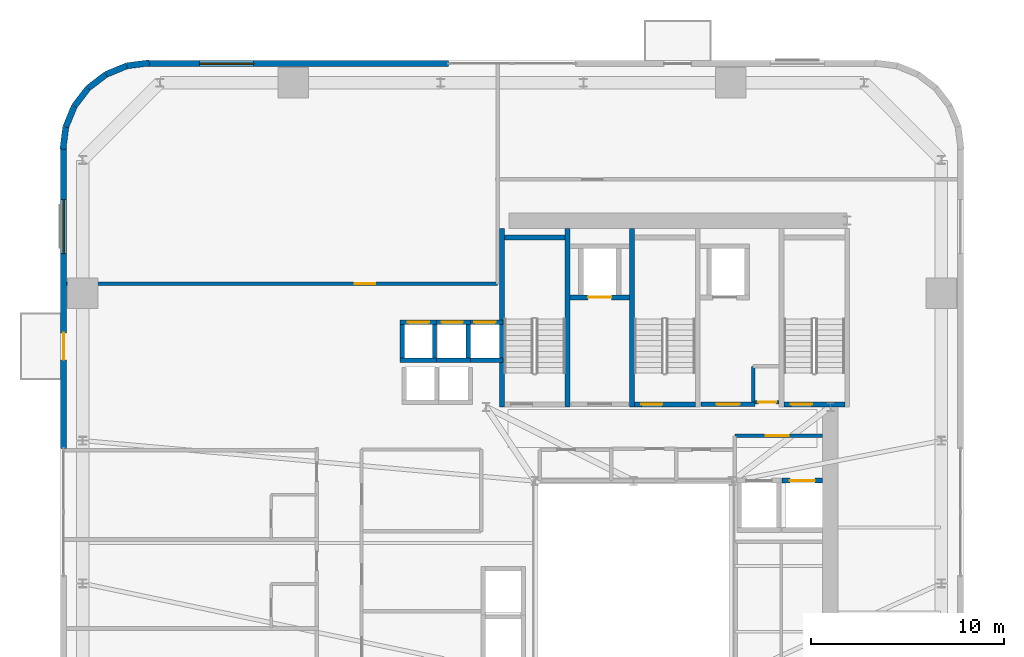
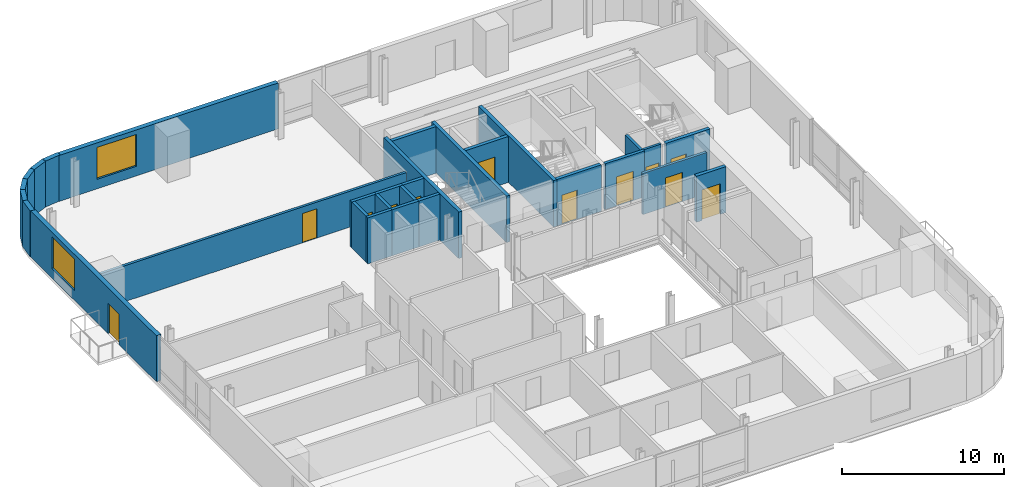
# One storey, part 8 of 14: 30 walls, 12 doors, 2 windows, 14 openings.
"""IFC4 building model written with IfcOpenShell, lengths in metres."""

import ifcopenshell
import ifcopenshell.guid

model = None  # the IFC model being written
_history = None  # IfcOwnerHistory: only IFC2X3 demands one
_inside = {}  # id of a spatial element -> (the spatial element, [elements in it])
_under = {}  # id of a project, library or spatial element -> (it, [spatial elements below it])
_declared = {}  # id of a project -> (the project, [libraries it declares])
_typed = {}  # id of a type object -> (the type object, [elements of that type])
_made_of = {}  # id of a material, layer set ... -> (it, [elements and type objects made of it])


def new_model(schema):
    """Start an empty IFC model of exactly this schema.

    Asked for "IFC4X3", IfcOpenShell would pick the latest addendum, in which some entities
    have other attributes; the version numbers below select the first issue.
    IFC2X3 requires an IfcOwnerHistory on every rooted entity: one is made here for all.
    """
    global model, _history
    if schema == "IFC4X3":
        model = ifcopenshell.file(schema_version=(4, 3, 0, 0))
    else:
        model = ifcopenshell.file(schema=schema)
    _inside.clear()
    _under.clear()
    _declared.clear()
    _typed.clear()
    _made_of.clear()
    _history = None
    if model.schema == "IFC2X3":
        org = make("IfcOrganization", Name="unknown")
        user = make(
            "IfcPersonAndOrganization",
            ThePerson=make("IfcPerson", FamilyName="unknown"),
            TheOrganization=org,
        )
        app = make(
            "IfcApplication",
            ApplicationDeveloper=org,
            Version="unknown",
            ApplicationFullName="unknown",
            ApplicationIdentifier="unknown",
        )
        _history = make(
            "IfcOwnerHistory",
            OwningUser=user,
            OwningApplication=app,
            ChangeAction="ADDED",
            CreationDate=0,
        )
    return model


def make(cls, **values):
    """One entity of the class cls with the attributes given. An attribute that is None is left unset."""
    return model.create_entity(
        cls, **{name: value for name, value in values.items() if value is not None}
    )


def rooted(cls, **values):
    """An entity with a GlobalId (a new one), such as an element, a storey or a relation."""
    return make(cls, GlobalId=ifcopenshell.guid.new(), OwnerHistory=_history, **values)


def si_unit(unit_type, name, prefix=None):
    """IfcSIUnit, for example si_unit("LENGTHUNIT", "METRE", prefix="MILLI")."""
    return make("IfcSIUnit", UnitType=unit_type, Prefix=prefix, Name=name)


def assignment(units):
    """IfcUnitAssignment: the units of a project."""
    return None if units is None else make("IfcUnitAssignment", Units=units)


def point(xyz):
    """IfcCartesianPoint."""
    return None if xyz is None else make("IfcCartesianPoint", Coordinates=xyz)


def direction(xyz):
    """IfcDirection."""
    return None if xyz is None else make("IfcDirection", DirectionRatios=xyz)


def frame(location, z_axis=None, x_axis=None):
    """IfcAxis2Placement3D, a coordinate frame: its origin and axes. An axis left out is left unset."""
    return make(
        "IfcAxis2Placement3D",
        Location=point(location),
        Axis=direction(z_axis),
        RefDirection=direction(x_axis),
    )


def frame_2d(location, x_axis=None):
    """IfcAxis2Placement2D, a coordinate frame in the plane: its origin and x axis."""
    return make(
        "IfcAxis2Placement2D", Location=point(location), RefDirection=direction(x_axis)
    )


def origin():
    """The frame at (0, 0, 0) with its axes left unset."""
    return frame((0.0, 0.0, 0.0))


def place(relative_to, where):
    """IfcLocalPlacement: puts the frame where relative to a parent placement (None: the world)."""
    return make(
        "IfcLocalPlacement", PlacementRelTo=relative_to, RelativePlacement=where
    )


def context(
    kind, dimensions, precision=None, world=None, true_north=None, identifier=None
):
    """IfcGeometricRepresentationContext, for example the 3D "Model" context."""
    return make(
        "IfcGeometricRepresentationContext",
        ContextIdentifier=identifier,
        ContextType=kind,
        CoordinateSpaceDimension=dimensions,
        Precision=precision,
        WorldCoordinateSystem=world,
        TrueNorth=true_north,
    )


def subcontext(parent, identifier, kind, view, scale=None):
    """IfcGeometricRepresentationSubContext, for example "Body" below "Model"."""
    return make(
        "IfcGeometricRepresentationSubContext",
        ContextIdentifier=identifier,
        ContextType=kind,
        ParentContext=parent,
        TargetScale=scale,
        TargetView=view,
    )


def project(units=None, contexts=None):
    """IfcProject with its units and contexts."""
    return rooted(
        "IfcProject",
        Name="project",
        RepresentationContexts=contexts,
        UnitsInContext=assignment(units),
    )


def spatial(cls, under=None, at=None, **own):
    """A site, building, storey or space (cls), placed at a placement, below another one or the project."""
    s = rooted(cls, ObjectPlacement=at, **own)
    if under is not None:
        _under.setdefault(under.id(), (under, []))[1].append(s)
    return s


def profile(cls, at=None, kind="AREA", **sizes):
    """A parametric profile (cls). Its sizes go by their IFC names, for example OverallWidth=200.0."""
    return make(cls, ProfileType=kind, Position=at, **sizes)


def rectangle(**sizes):
    """IfcRectangleProfileDef."""
    return profile("IfcRectangleProfileDef", **sizes)


def extrude(swept, where, along, depth):
    """IfcExtrudedAreaSolid: the profile swept, set in the frame where, extruded along a direction by depth."""
    return make(
        "IfcExtrudedAreaSolid",
        SweptArea=swept,
        Position=where,
        ExtrudedDirection=direction(along),
        Depth=depth,
    )


def shape(context_of_items, identifier, shape_type, items):
    """IfcShapeRepresentation: the items that make up one representation, for example the "Body"."""
    return make(
        "IfcShapeRepresentation",
        ContextOfItems=context_of_items,
        RepresentationIdentifier=identifier,
        RepresentationType=shape_type,
        Items=items,
    )


def source(mapping_origin, context_of_items, identifier, shape_type, items):
    """IfcRepresentationMap: a shape defined once, which mapped items show again and again."""
    return make(
        "IfcRepresentationMap",
        MappingOrigin=mapping_origin,
        MappedRepresentation=shape(context_of_items, identifier, shape_type, items),
    )


def transform(
    local_origin,
    x_axis=None,
    y_axis=None,
    z_axis=None,
    scale=None,
    scale2=None,
    scale3=None,
    uniform=True,
):
    """IfcCartesianTransformationOperator3D, or its non-uniform kind. x_axis, y_axis, z_axis: its Axis1, 2, 3."""
    if uniform:
        return make(
            "IfcCartesianTransformationOperator3D",
            Axis1=direction(x_axis),
            Axis2=direction(y_axis),
            LocalOrigin=point(local_origin),
            Scale=scale,
            Axis3=direction(z_axis),
        )
    return make(
        "IfcCartesianTransformationOperator3DnonUniform",
        Axis1=direction(x_axis),
        Axis2=direction(y_axis),
        LocalOrigin=point(local_origin),
        Scale=scale,
        Axis3=direction(z_axis),
        Scale2=scale2,
        Scale3=scale3,
    )


def mapped(mapping_source, mapping_target):
    """IfcMappedItem: shows the shape of a source again, moved by a transform."""
    return make(
        "IfcMappedItem", MappingSource=mapping_source, MappingTarget=mapping_target
    )


def material(Name=None, Category=None):
    """IfcMaterial."""
    return make("IfcMaterial", Name=Name, Category=Category)


def layer(
    of_material, thickness, ventilated=None, Name=None, Category=None, Priority=None
):
    """IfcMaterialLayer: one layer of a wall or slab, of a material (None: an air gap)."""
    return make(
        "IfcMaterialLayer",
        Material=of_material,
        LayerThickness=thickness,
        IsVentilated=ventilated,
        Name=Name,
        Category=Category,
        Priority=Priority,
    )


def layer_set(layers, Name=None):
    """IfcMaterialLayerSet."""
    return make("IfcMaterialLayerSet", MaterialLayers=layers, LayerSetName=Name)


def made_of(thing, what):
    """Note that an element or type object is made of a material, layer set ...; save() writes the relation."""
    if what is not None:
        _made_of.setdefault(what.id(), (what, []))[1].append(thing)
    return thing


def type_object(cls, material=None, **own):
    """A type object (cls), such as IfcWallType, which elements share."""
    return made_of(rooted(cls, **own), material)


def element(
    cls,
    number,
    at=None,
    inside=None,
    cuts=None,
    type_object=None,
    material=None,
    context=None,
    identifier="Body",
    shape_type=None,
    held_by="IfcProductDefinitionShape",
    body=None,
    shapes=None,
    **own,
):
    """One element of the class cls, such as IfcWall. Its Tag is "e" and its number.

    at: its placement. inside: the storey or other place that contains it. cuts: it is an
    opening in that element (IfcRelVoidsElement). A single representation is given by context,
    identifier, shape_type and body (its items); several are given by shapes. held_by: the class
    of the entity that holds the representations. save() writes the other relations.
    """
    e = rooted(cls, Tag="e%d" % number, ObjectPlacement=at, **own)
    if body is not None:
        shapes = [shape(context, identifier, shape_type, body)]
    if shapes is not None:
        e.Representation = make(held_by, Representations=shapes)
    if inside is not None:
        _inside.setdefault(inside.id(), (inside, []))[1].append(e)
    if cuts is not None:
        rooted(
            "IfcRelVoidsElement", RelatingBuildingElement=cuts, RelatedOpeningElement=e
        )
    if type_object is not None:
        _typed.setdefault(type_object.id(), (type_object, []))[1].append(e)
    return made_of(e, material)


def fill(opening, filler):
    """IfcRelFillsElement: the door or window that sits in an opening."""
    return rooted(
        "IfcRelFillsElement",
        RelatingOpeningElement=opening,
        RelatedBuildingElement=filler,
    )


def aggregate(whole, parts):
    """IfcRelAggregates: a whole, such as a stair, and the parts it consists of."""
    return rooted("IfcRelAggregates", RelatingObject=whole, RelatedObjects=parts)


def save(model, path):
    """Write the relations noted so far, then the file.

    IfcRelAggregates (storeys below a building ...), IfcRelContainedInSpatialStructure (elements
    in a storey), IfcRelDefinesByType, IfcRelAssociatesMaterial and IfcRelDeclares: one each for
    every whole, place, type object, material and project.
    """
    for whole, parts in _under.values():
        aggregate(whole, parts)
    for where, things in _inside.values():
        rooted(
            "IfcRelContainedInSpatialStructure",
            RelatedElements=things,
            RelatingStructure=where,
        )
    for kind, things in _typed.values():
        rooted("IfcRelDefinesByType", RelatedObjects=things, RelatingType=kind)
    for what, things in _made_of.values():
        rooted("IfcRelAssociatesMaterial", RelatedObjects=things, RelatingMaterial=what)
    for by, libraries in _declared.values():
        rooted("IfcRelDeclares", RelatingContext=by, RelatedDefinitions=libraries)
    model.write(path)


model = new_model("IFC4")

# Units and contexts
model_context = context("Model", 3, precision=1e-05, world=origin(), true_north=direction((0.0, 1.0)))
body_context = subcontext(model_context, "Body", "Model", "MODEL_VIEW")
ifc_project = project(units=[si_unit("LENGTHUNIT", "METRE"), si_unit("AREAUNIT", "SQUARE_METRE"), si_unit("VOLUMEUNIT", "CUBIC_METRE"), si_unit("PLANEANGLEUNIT", "RADIAN"), si_unit("MASSUNIT", "GRAM", prefix="KILO")], contexts=[model_context])

# Site, building, storey
site_placement = place(None, origin())
site = spatial("IfcSite", under=ifc_project, at=site_placement, CompositionType="ELEMENT")
building_placement = place(site_placement, origin())
building = spatial("IfcBuilding", under=site, at=building_placement, Name="Vardaveli Station Tower", CompositionType="ELEMENT")
storey_placement = place(building_placement, frame((0.0, 0.0, 148.300048828125)))
storey = spatial("IfcBuildingStorey", under=building, at=storey_placement, Name="L38", CompositionType="ELEMENT", Elevation=148.300048828125)

# Wall, opening, window
ifc_material_1 = material(Name="Precast concrete C45/55", Category="concrete")
ifc_layer_1 = layer(ifc_material_1, 0.320068359375, Name="Precast concrete C45/55")
ifc_layer_set_1 = layer_set([ifc_layer_1], Name="Precast concrete C45/55")
wall_type_1 = type_object("IfcWallType", Name="WAL-EXT-STONE-320", PredefinedType="SOLIDWALL", material=ifc_layer_set_1)
shared_shape_1 = source(origin(), body_context, "Body", "SweptSolid", [
    extrude(rectangle(XDim=15.599853515625, YDim=0.320068359375, at=frame_2d((7.7998046875, 0.0))), origin(), (0.0, 0.0, 1.0), 3.4599609375),
])
wall_1_placement = place(storey_placement, frame((26.699951171875, 48.43994140625, 0.0), z_axis=(0.0, 0.0, 1.0), x_axis=(-1.0, 0.0, 0.0)))
wall_1 = element("IfcWall", 1, at=wall_1_placement, inside=storey, type_object=wall_type_1, Name="EW-L38-N2", PredefinedType="SOLIDWALL", context=body_context, shape_type="MappedRepresentation", body=[
    mapped(shared_shape_1, transform((0.0, 0.0, 0.0), scale=1.0)),
])
shared_shape_2 = source(origin(), body_context, "Body", "SweptSolid", [
    extrude(rectangle(XDim=2.800048828125, YDim=2.39990234375, at=frame_2d((1.39990234375, 1.199951171875))), frame((0.0, 0.169921875, 0.0), z_axis=(0.0, -1.0, 0.0), x_axis=(1.0, 0.0, 0.0)), (0.0, 0.0, 1.0), 0.340087890625),
])
opening_1_placement = place(wall_1_placement, frame((10.094970703125, 0.0, 0.719970703125)))
opening_1 = element("IfcOpeningElement", 2, at=opening_1_placement, cuts=wall_1, Name="Opening W-04", PredefinedType="OPENING", context=body_context, shape_type="MappedRepresentation", body=[
    mapped(shared_shape_2, transform((0.0, 0.0, 0.0), scale=1.0)),
])
ifc_material_2 = material(Name="Low-E solar-control glass", Category="glass")
window_type = type_object("IfcWindowType", Name="WIN-SUITE-2800x2400", PartitioningType="SINGLE_PANEL", PredefinedType="WINDOW", material=ifc_material_2)
shared_shape_3 = source(origin(), body_context, "Body", "SweptSolid", [
    extrude(rectangle(XDim=2.800048828125, YDim=2.39990234375, at=frame_2d((1.39990234375, 1.199951171875))), frame((0.0, 0.030029296875, 0.0), z_axis=(0.0, -1.0, 0.0), x_axis=(1.0, 0.0, 0.0)), (0.0, 0.0, 1.0), 0.06005859375),
])
window_1_placement = place(opening_1_placement, origin())
window_1 = element("IfcWindow", 3, at=window_1_placement, inside=storey, type_object=window_type, Name="WN-L38-N2", OverallHeight=2.39990234375, OverallWidth=2.800048828125, PartitioningType="SINGLE_PANEL", PredefinedType="WINDOW", context=body_context, shape_type="MappedRepresentation", body=[
    mapped(shared_shape_3, transform((0.0, 0.0, 0.0), scale=1.0)),
])
fill(opening_1, window_1)

# Wall, openings, door, window
shared_shape_4 = source(origin(), body_context, "Body", "SweptSolid", [
    extrude(rectangle(XDim=15.60009765625, YDim=0.320068359375, at=frame_2d((7.800048828125, 0.0))), origin(), (0.0, 0.0, 1.0), 3.4599609375),
])
wall_2_placement = place(storey_placement, frame((6.760009765625, 44.10009765625, 0.0), z_axis=(0.0, 0.0, 1.0), x_axis=(0.0, -1.0, 0.0)))
wall_2 = element("IfcWall", 4, at=wall_2_placement, inside=storey, type_object=wall_type_1, Name="EW-L38-W1", PredefinedType="SOLIDWALL", context=body_context, shape_type="MappedRepresentation", body=[
    mapped(shared_shape_4, transform((0.0, 0.0, 0.0), scale=1.0)),
])
shared_shape_5 = source(origin(), body_context, "Body", "SweptSolid", [
    extrude(rectangle(XDim=1.39990234375, YDim=2.300048828125, at=frame_2d((0.699951171875, 1.14990234375))), frame((0.0, 0.169921875, 0.0), z_axis=(0.0, -1.0, 0.0), x_axis=(1.0, 0.0, 0.0)), (0.0, 0.0, 1.0), 0.340087890625),
])
opening_2_placement = place(wall_2_placement, frame((9.6103515625, 0.0, 0.0)))
opening_2 = element("IfcOpeningElement", 5, at=opening_2_placement, cuts=wall_2, Name="Opening D-09", PredefinedType="OPENING", context=body_context, shape_type="MappedRepresentation", body=[
    mapped(shared_shape_5, transform((0.0, 0.0, 0.0), scale=1.0)),
])
opening_3_placement = place(wall_2_placement, frame((2.705078125, 0.0, 0.719970703125)))
opening_3 = element("IfcOpeningElement", 6, at=opening_3_placement, cuts=wall_2, Name="Opening W-04", PredefinedType="OPENING", context=body_context, shape_type="MappedRepresentation", body=[
    mapped(shared_shape_2, transform((0.0, 0.0, 0.0), scale=1.0)),
])
ifc_material_3 = material(Name="Thermally broken aluminium glass", Category="aluminium")
door_type_1 = type_object("IfcDoorType", Name="DR-LOG-1400x2300", OperationType="DOUBLE_DOOR_SLIDING", PredefinedType="DOOR", material=ifc_material_3)
shared_shape_6 = source(origin(), body_context, "Body", "SweptSolid", [
    extrude(rectangle(XDim=1.39990234375, YDim=2.300048828125, at=frame_2d((0.699951171875, 1.14990234375))), frame((0.0, 0.02490234375, 0.0), z_axis=(0.0, -1.0, 0.0), x_axis=(1.0, 0.0, 0.0)), (0.0, 0.0, 1.0), 0.050048828125),
])
door_1_placement = place(opening_2_placement, frame((1.39990234375, 0.0, 0.0), z_axis=(0.0, 0.0, 1.0), x_axis=(-1.0, 0.0, 0.0)))
door_1 = element("IfcDoor", 7, at=door_1_placement, inside=storey, type_object=door_type_1, Name="DLG-L38-W", OperationType="DOUBLE_DOOR_SLIDING", OverallHeight=2.300048828125, OverallWidth=1.39990234375, PredefinedType="DOOR", context=body_context, shape_type="MappedRepresentation", body=[
    mapped(shared_shape_6, transform((0.0, 0.0, 0.0), scale=1.0)),
])
fill(opening_2, door_1)
window_2_placement = place(opening_3_placement, origin())
window_2 = element("IfcWindow", 8, at=window_2_placement, inside=storey, type_object=window_type, Name="WN-L38-W1", OverallHeight=2.39990234375, OverallWidth=2.800048828125, PartitioningType="SINGLE_PANEL", PredefinedType="WINDOW", context=body_context, shape_type="MappedRepresentation", body=[
    mapped(shared_shape_3, transform((0.0, 0.0, 0.0), scale=1.0)),
])
fill(opening_3, window_2)

# Walls
shared_shape_7 = source(origin(), body_context, "Body", "SweptSolid", [
    extrude(rectangle(XDim=1.1689453125, YDim=0.320068359375, at=frame_2d((0.58447265625, 0.0))), origin(), (0.0, 0.0, 1.0), 3.4599609375),
])
wall_3_placement = place(storey_placement, frame((8.03125, 47.1689453125, 0.0), z_axis=(0.0, 0.0, 1.0), x_axis=(-0.608387696831, -0.793639975269, 0.0)))
element("IfcWall", 9, at=wall_3_placement, inside=storey, type_object=wall_type_1, Name="EW-L38-CR4-4", PredefinedType="SOLIDWALL", context=body_context, shape_type="MappedRepresentation", body=[
    mapped(shared_shape_7, transform((0.0, 0.0, 0.0), scale=1.0)),
])
shared_shape_8 = source(origin(), body_context, "Body", "SweptSolid", [
    extrude(rectangle(XDim=1.168701171875, YDim=0.320068359375, at=frame_2d((0.58447265625, 0.0))), origin(), (0.0, 0.0, 1.0), 3.4599609375),
])
wall_4_placement = place(storey_placement, frame((8.958740234375, 47.8798828125, 0.0), z_axis=(0.0, 0.0, 1.0), x_axis=(-0.793663520347, -0.608356981114, 0.0)))
element("IfcWall", 10, at=wall_4_placement, inside=storey, type_object=wall_type_1, Name="EW-L38-CR4-3", PredefinedType="SOLIDWALL", context=body_context, shape_type="MappedRepresentation", body=[
    mapped(shared_shape_8, transform((0.0, 0.0, 0.0), scale=1.0)),
])
shared_shape_9 = source(origin(), body_context, "Body", "SweptSolid", [
    extrude(rectangle(XDim=1.17041015625, YDim=0.320068359375, at=frame_2d((0.585205078125, 0.0))), origin(), (0.0, 0.0, 1.0), 3.4599609375),
])
for number, where, z_axis, x_axis, name in (
    (11, (11.200439453125, 48.4755859375, 0.0), (0.0, 0.0, 1.0), (-0.991735963317, -0.128295670475, 0.0), "EW-L38-CR4-1"),
    (12, (6.87451171875, 45.16015625, 0.0), (0.0, 0.0, 1.0), (-0.128295670475, -0.991735963317, 0.0), "EW-L38-CR4-6"),
):
    element("IfcWall", number, at=place(storey_placement, frame(where, z_axis=z_axis, x_axis=x_axis)), inside=storey, type_object=wall_type_1, Name=name, PredefinedType="SOLIDWALL", context=body_context, shape_type="MappedRepresentation", body=[
        mapped(shared_shape_9, transform((0.0, 0.0, 0.0), scale=1.0)),
    ])
shared_shape_10 = source(origin(), body_context, "Body", "SweptSolid", [
    extrude(rectangle(XDim=1.169189453125, YDim=0.320068359375, at=frame_2d((0.58447265625, 0.0))), origin(), (0.0, 0.0, 1.0), 3.4599609375),
])
for number, where, z_axis, x_axis, name in (
    (13, (10.039794921875, 48.325439453125, 0.0), (0.0, 0.0, 1.0), (-0.924552646638, -0.381054331552, 0.0), "EW-L38-CR4-2"),
    (14, (7.320068359375, 46.2412109375, 0.0), (0.0, 0.0, 1.0), (-0.381054331552, -0.924552646638, 0.0), "EW-L38-CR4-5"),
):
    element("IfcWall", number, at=place(storey_placement, frame(where, z_axis=z_axis, x_axis=x_axis)), inside=storey, type_object=wall_type_1, Name=name, PredefinedType="SOLIDWALL", context=body_context, shape_type="MappedRepresentation", body=[
        mapped(shared_shape_10, transform((0.0, 0.0, 0.0), scale=1.0)),
    ])
ifc_material_4 = material(Name="Concrete C40/50", Category="concrete")
ifc_layer_2 = layer(ifc_material_4, 0.25, Name="Concrete C40/50")
ifc_layer_set_2 = layer_set([ifc_layer_2], Name="Concrete C40/50")
wall_type_2 = type_object("IfcWallType", Name="WAL-SHAFT-250", PredefinedType="SOLIDWALL", material=ifc_layer_set_2)
shared_shape_11 = source(origin(), body_context, "Body", "SweptSolid", [
    extrude(rectangle(XDim=9.25, YDim=0.25, at=frame_2d((4.625, 0.0))), origin(), (0.0, 0.0, 1.0), 3.5),
])
for number, where, z_axis, x_axis, name in (
    (15, (29.47509765625, 30.64990234375, 0.0), (0.0, 0.0, 1.0), (0.0, 1.0, 0.0), "W-L38-ST-1W"),
    (16, (32.875, 30.64990234375, 0.0), (0.0, 0.0, 1.0), (0.0, 1.0, 0.0), "W-L38-ST-1E"),
    (17, (36.22509765625, 30.64990234375, 0.0), (0.0, 0.0, 1.0), (0.0, 1.0, 0.0), "W-L38-ST-2W"),
):
    element("IfcWall", number, at=place(storey_placement, frame(where, z_axis=z_axis, x_axis=x_axis)), inside=storey, type_object=wall_type_2, Name=name, PredefinedType="SOLIDWALL", context=body_context, shape_type="MappedRepresentation", body=[
        mapped(shared_shape_11, transform((0.0, 0.0, 0.0), scale=1.0)),
    ])
shared_shape_12 = source(origin(), body_context, "Body", "SweptSolid", [
    extrude(rectangle(XDim=3.14990234375, YDim=0.25, at=frame_2d((1.574951171875, 0.0))), origin(), (0.0, 0.0, 1.0), 3.5),
])
wall_5_placement = place(storey_placement, frame((29.60009765625, 39.425048828125, 0.0), z_axis=(0.0, 0.0, 1.0), x_axis=(1.0, 0.0, 0.0)))
element("IfcWall", 18, at=wall_5_placement, inside=storey, type_object=wall_type_2, Name="W-L38-ST-1N", PredefinedType="SOLIDWALL", context=body_context, shape_type="MappedRepresentation", body=[
    mapped(shared_shape_12, transform((0.0, 0.0, 0.0), scale=1.0)),
])

# Wall, opening, door
wall_6_placement = place(storey_placement, frame((36.35009765625, 30.77490234375, 0.0), z_axis=(0.0, 0.0, 1.0), x_axis=(1.0, 0.0, 0.0)))
wall_6 = element("IfcWall", 19, at=wall_6_placement, inside=storey, type_object=wall_type_2, Name="W-L38-ST-2S", PredefinedType="SOLIDWALL", context=body_context, shape_type="MappedRepresentation", body=[
    mapped(shared_shape_12, transform((0.0, 0.0, 0.0), scale=1.0)),
])
shared_shape_13 = source(origin(), body_context, "Body", "SweptSolid", [
    extrude(rectangle(XDim=1.10009765625, YDim=2.199951171875, at=frame_2d((0.550048828125, 1.10009765625))), frame((0.0, 0.135009765625, 0.0), z_axis=(0.0, -1.0, 0.0), x_axis=(1.0, 0.0, 0.0)), (0.0, 0.0, 1.0), 0.27001953125),
])
opening_4_placement = place(wall_6_placement, frame((0.35009765625, 0.0, 0.0)))
opening_4 = element("IfcOpeningElement", 20, at=opening_4_placement, cuts=wall_6, Name="Opening D-04", PredefinedType="OPENING", context=body_context, shape_type="MappedRepresentation", body=[
    mapped(shared_shape_13, transform((0.0, 0.0, 0.0), scale=1.0)),
])
ifc_material_5 = material(Name="Steel smokeproof fire doorset", Category="steel")
door_type_2 = type_object("IfcDoorType", Name="DR-ST-1100x2200", OperationType="NOTDEFINED", PredefinedType="DOOR", material=ifc_material_5)
shared_shape_14 = source(origin(), body_context, "Body", "SweptSolid", [
    extrude(rectangle(XDim=1.10009765625, YDim=2.199951171875, at=frame_2d((0.550048828125, 1.10009765625))), frame((0.0, 0.02490234375, 0.0), z_axis=(0.0, -1.0, 0.0), x_axis=(1.0, 0.0, 0.0)), (0.0, 0.0, 1.0), 0.050048828125),
])
door_2_placement = place(opening_4_placement, origin())
door_2 = element("IfcDoor", 21, at=door_2_placement, inside=storey, type_object=door_type_2, Name="DST-2-L38", OperationType="SINGLE_SWING_LEFT", OverallHeight=2.199951171875, OverallWidth=1.10009765625, PredefinedType="DOOR", context=body_context, shape_type="MappedRepresentation", body=[
    mapped(shared_shape_14, transform((0.0, 0.0, 0.0), scale=1.0)),
])
fill(opening_4, door_2)

wall_7_placement = place(storey_placement, frame((44.10009765625, 30.77490234375, 0.0), z_axis=(0.0, 0.0, 1.0), x_axis=(1.0, 0.0, 0.0)))
wall_7 = element("IfcWall", 22, at=wall_7_placement, inside=storey, type_object=wall_type_2, Name="W-L38-ST-3S", PredefinedType="SOLIDWALL", context=body_context, shape_type="MappedRepresentation", body=[
    mapped(shared_shape_12, transform((0.0, 0.0, 0.0), scale=1.0)),
])
opening_5_placement = place(wall_7_placement, frame((0.35009765625, 0.0, 0.0)))
opening_5 = element("IfcOpeningElement", 23, at=opening_5_placement, cuts=wall_7, Name="Opening D-04", PredefinedType="OPENING", context=body_context, shape_type="MappedRepresentation", body=[
    mapped(shared_shape_13, transform((0.0, 0.0, 0.0), scale=1.0)),
])
door_3_placement = place(opening_5_placement, origin())
door_3 = element("IfcDoor", 24, at=door_3_placement, inside=storey, type_object=door_type_2, Name="DST-3-L38", OperationType="SINGLE_SWING_LEFT", OverallHeight=2.199951171875, OverallWidth=1.10009765625, PredefinedType="DOOR", context=body_context, shape_type="MappedRepresentation", body=[
    mapped(shared_shape_14, transform((0.0, 0.0, 0.0), scale=1.0)),
])
fill(opening_5, door_3)

ifc_layer_3 = layer(ifc_material_4, 0.219970703125, Name="Concrete C40/50")
ifc_layer_set_3 = layer_set([ifc_layer_3], Name="Concrete C40/50")
wall_type_3 = type_object("IfcWallType", Name="WAL-FFLOBBY-220", PredefinedType="SOLIDWALL", material=ifc_layer_set_3)
shared_shape_15 = source(origin(), body_context, "Body", "SweptSolid", [
    extrude(rectangle(XDim=2.800048828125, YDim=0.219970703125, at=frame_2d((1.39990234375, 0.0))), origin(), (0.0, 0.0, 1.0), 3.4599609375),
])
wall_8_placement = place(storey_placement, frame((39.800048828125, 30.780029296875, 0.0), z_axis=(0.0, 0.0, 1.0), x_axis=(1.0, 0.0, 0.0)))
wall_8 = element("IfcWall", 25, at=wall_8_placement, inside=storey, type_object=wall_type_3, Name="W-L38-FFL2S", PredefinedType="SOLIDWALL", context=body_context, shape_type="MappedRepresentation", body=[
    mapped(shared_shape_15, transform((0.0, 0.0, 0.0), scale=1.0)),
])
shared_shape_16 = source(origin(), body_context, "Body", "SweptSolid", [
    extrude(rectangle(XDim=1.199951171875, YDim=2.199951171875, at=frame_2d((0.60009765625, 1.10009765625))), frame((0.0, 0.1201171875, 0.0), z_axis=(0.0, -1.0, 0.0), x_axis=(1.0, 0.0, 0.0)), (0.0, 0.0, 1.0), 0.239990234375),
])
opening_6_placement = place(wall_8_placement, frame((0.800048828125, 0.0, 0.0)))
opening_6 = element("IfcOpeningElement", 26, at=opening_6_placement, cuts=wall_8, Name="Opening D-03", PredefinedType="OPENING", context=body_context, shape_type="MappedRepresentation", body=[
    mapped(shared_shape_16, transform((0.0, 0.0, 0.0), scale=1.0)),
])
door_type_3 = type_object("IfcDoorType", Name="DR-FFL-1200x2200", OperationType="NOTDEFINED", PredefinedType="DOOR", material=ifc_material_5)
shared_shape_17 = source(origin(), body_context, "Body", "SweptSolid", [
    extrude(rectangle(XDim=1.199951171875, YDim=2.199951171875, at=frame_2d((0.60009765625, 1.10009765625))), frame((0.0, 0.02490234375, 0.0), z_axis=(0.0, -1.0, 0.0), x_axis=(1.0, 0.0, 0.0)), (0.0, 0.0, 1.0), 0.050048828125),
])
door_4_placement = place(opening_6_placement, origin())
door_4 = element("IfcDoor", 27, at=door_4_placement, inside=storey, type_object=door_type_3, Name="DFFL2-L38", OperationType="SINGLE_SWING_RIGHT", OverallHeight=2.199951171875, OverallWidth=1.199951171875, PredefinedType="DOOR", context=body_context, shape_type="MappedRepresentation", body=[
    mapped(shared_shape_17, transform((0.0, 0.0, 0.0), scale=1.0)),
])
fill(opening_6, door_4)

# Wall
shared_shape_18 = source(origin(), body_context, "Body", "SweptSolid", [
    extrude(rectangle(XDim=1.889892578125, YDim=0.219970703125, at=frame_2d((0.94482421875, 0.0))), origin(), (0.0, 0.0, 1.0), 3.4599609375),
])
wall_9_placement = place(storey_placement, frame((24.205078125, 33.06494140625, 0.0), z_axis=(0.0, 0.0, 1.0), x_axis=(1.0, 0.0, 0.0)))
element("IfcWall", 28, at=wall_9_placement, inside=storey, type_object=wall_type_3, Name="SHW-HL2-01-L38-S", PredefinedType="SOLIDWALL", context=body_context, shape_type="MappedRepresentation", body=[
    mapped(shared_shape_18, transform((0.0, 0.0, 0.0), scale=1.0)),
])

# Wall, opening, door
wall_10_placement = place(storey_placement, frame((24.205078125, 35.034912109375, 0.0), z_axis=(0.0, 0.0, 1.0), x_axis=(1.0, 0.0, 0.0)))
wall_10 = element("IfcWall", 29, at=wall_10_placement, inside=storey, type_object=wall_type_3, Name="SHW-HL2-01-L38-N", PredefinedType="SOLIDWALL", context=body_context, shape_type="MappedRepresentation", body=[
    mapped(shared_shape_18, transform((0.0, 0.0, 0.0), scale=1.0)),
])
shared_shape_19 = source(origin(), body_context, "Body", "SweptSolid", [
    extrude(rectangle(XDim=1.10009765625, YDim=2.199951171875, at=frame_2d((0.550048828125, 1.10009765625))), frame((0.0, 0.1201171875, 0.0), z_axis=(0.0, -1.0, 0.0), x_axis=(1.0, 0.0, 0.0)), (0.0, 0.0, 1.0), 0.239990234375),
])
opening_7_placement = place(wall_10_placement, frame((0.39501953125, 0.0, 0.0)))
opening_7 = element("IfcOpeningElement", 30, at=opening_7_placement, cuts=wall_10, Name="Opening LD-01", PredefinedType="OPENING", context=body_context, shape_type="MappedRepresentation", body=[
    mapped(shared_shape_19, transform((0.0, 0.0, 0.0), scale=1.0)),
])
ifc_material_6 = material(Name="Brushed stainless steel", Category="steel")
door_type_4 = type_object("IfcDoorType", Name="DR-LD-1100x2200", OperationType="DOUBLE_DOOR_SLIDING", PredefinedType="DOOR", material=ifc_material_6)
door_5_placement = place(opening_7_placement, origin())
door_5 = element("IfcDoor", 31, at=door_5_placement, inside=storey, type_object=door_type_4, Name="LD-HL2-01-L38", OperationType="DOUBLE_DOOR_SLIDING", OverallHeight=2.199951171875, OverallWidth=1.10009765625, PredefinedType="DOOR", context=body_context, shape_type="MappedRepresentation", body=[
    mapped(shared_shape_14, transform((0.0, 0.0, 0.0), scale=1.0)),
])
fill(opening_7, door_5)

# Wall
wall_11_placement = place(storey_placement, frame((25.955078125, 33.06494140625, 0.0), z_axis=(0.0, 0.0, 1.0), x_axis=(1.0, 0.0, 0.0)))
element("IfcWall", 32, at=wall_11_placement, inside=storey, type_object=wall_type_3, Name="SHW-HL2-02-L38-S", PredefinedType="SOLIDWALL", context=body_context, shape_type="MappedRepresentation", body=[
    mapped(shared_shape_18, transform((0.0, 0.0, 0.0), scale=1.0)),
])

# Wall, opening, door
wall_12_placement = place(storey_placement, frame((25.955078125, 35.034912109375, 0.0), z_axis=(0.0, 0.0, 1.0), x_axis=(1.0, 0.0, 0.0)))
wall_12 = element("IfcWall", 33, at=wall_12_placement, inside=storey, type_object=wall_type_3, Name="SHW-HL2-02-L38-N", PredefinedType="SOLIDWALL", context=body_context, shape_type="MappedRepresentation", body=[
    mapped(shared_shape_18, transform((0.0, 0.0, 0.0), scale=1.0)),
])
opening_8_placement = place(wall_12_placement, frame((0.39501953125, 0.0, 0.0)))
opening_8 = element("IfcOpeningElement", 34, at=opening_8_placement, cuts=wall_12, Name="Opening LD-01", PredefinedType="OPENING", context=body_context, shape_type="MappedRepresentation", body=[
    mapped(shared_shape_19, transform((0.0, 0.0, 0.0), scale=1.0)),
])
door_6_placement = place(opening_8_placement, origin())
door_6 = element("IfcDoor", 35, at=door_6_placement, inside=storey, type_object=door_type_4, Name="LD-HL2-02-L38", OperationType="DOUBLE_DOOR_SLIDING", OverallHeight=2.199951171875, OverallWidth=1.10009765625, PredefinedType="DOOR", context=body_context, shape_type="MappedRepresentation", body=[
    mapped(shared_shape_14, transform((0.0, 0.0, 0.0), scale=1.0)),
])
fill(opening_8, door_6)

# Wall
wall_13_placement = place(storey_placement, frame((27.655029296875, 33.06494140625, 0.0), z_axis=(0.0, 0.0, 1.0), x_axis=(1.0, 0.0, 0.0)))
element("IfcWall", 36, at=wall_13_placement, inside=storey, type_object=wall_type_3, Name="SHW-HL2-03-L38-S", PredefinedType="SOLIDWALL", context=body_context, shape_type="MappedRepresentation", body=[
    mapped(shared_shape_18, transform((0.0, 0.0, 0.0), scale=1.0)),
])

# Wall, opening, door
wall_14_placement = place(storey_placement, frame((27.655029296875, 35.034912109375, 0.0), z_axis=(0.0, 0.0, 1.0), x_axis=(1.0, 0.0, 0.0)))
wall_14 = element("IfcWall", 37, at=wall_14_placement, inside=storey, type_object=wall_type_3, Name="SHW-HL2-03-L38-N", PredefinedType="SOLIDWALL", context=body_context, shape_type="MappedRepresentation", body=[
    mapped(shared_shape_18, transform((0.0, 0.0, 0.0), scale=1.0)),
])
opening_9_placement = place(wall_14_placement, frame((0.39501953125, 0.0, 0.0)))
opening_9 = element("IfcOpeningElement", 38, at=opening_9_placement, cuts=wall_14, Name="Opening LD-01", PredefinedType="OPENING", context=body_context, shape_type="MappedRepresentation", body=[
    mapped(shared_shape_19, transform((0.0, 0.0, 0.0), scale=1.0)),
])
door_7_placement = place(opening_9_placement, origin())
door_7 = element("IfcDoor", 39, at=door_7_placement, inside=storey, type_object=door_type_4, Name="LD-HL2-03-L38", OperationType="DOUBLE_DOOR_SLIDING", OverallHeight=2.199951171875, OverallWidth=1.10009765625, PredefinedType="DOOR", context=body_context, shape_type="MappedRepresentation", body=[
    mapped(shared_shape_14, transform((0.0, 0.0, 0.0), scale=1.0)),
])
fill(opening_9, door_7)

# Walls
shared_shape_20 = source(origin(), body_context, "Body", "SweptSolid", [
    extrude(rectangle(XDim=1.75, YDim=0.219970703125, at=frame_2d((0.875, 0.0))), origin(), (0.0, 0.0, 1.0), 3.4599609375),
])
for number, where, z_axis, x_axis, name in (
    (40, (24.31494140625, 33.175048828125, 0.0), (0.0, 0.0, 1.0), (0.0, 1.0, 0.0), "SHW-HL2-01-L38-W"),
    (41, (25.985107421875, 33.175048828125, 0.0), (0.0, 0.0, 1.0), (0.0, 1.0, 0.0), "SHW-HL2-01-L38-E"),
    (42, (27.735107421875, 33.175048828125, 0.0), (0.0, 0.0, 1.0), (0.0, 1.0, 0.0), "SHW-HL2-02-L38-E"),
):
    element("IfcWall", number, at=place(storey_placement, frame(where, z_axis=z_axis, x_axis=x_axis)), inside=storey, type_object=wall_type_3, Name=name, PredefinedType="SOLIDWALL", context=body_context, shape_type="MappedRepresentation", body=[
        mapped(shared_shape_20, transform((0.0, 0.0, 0.0), scale=1.0)),
    ])

# Wall, opening, door
shared_shape_21 = source(origin(), body_context, "Body", "SweptSolid", [
    extrude(rectangle(XDim=3.10009765625, YDim=0.25, at=frame_2d((1.550048828125, 0.0))), origin(), (0.0, 0.0, 1.0), 3.4599609375),
])
wall_15_placement = place(storey_placement, frame((33.0, 36.324951171875, 0.0), z_axis=(0.0, 0.0, 1.0), x_axis=(1.0, 0.0, 0.0)))
wall_15 = element("IfcWall", 43, at=wall_15_placement, inside=storey, type_object=wall_type_2, Name="SHW-FFL-01-L38-S", PredefinedType="SOLIDWALL", context=body_context, shape_type="MappedRepresentation", body=[
    mapped(shared_shape_21, transform((0.0, 0.0, 0.0), scale=1.0)),
])
shared_shape_22 = source(origin(), body_context, "Body", "SweptSolid", [
    extrude(rectangle(XDim=1.199951171875, YDim=2.25, at=frame_2d((0.60009765625, 1.125))), frame((0.0, 0.135009765625, 0.0), z_axis=(0.0, -1.0, 0.0), x_axis=(1.0, 0.0, 0.0)), (0.0, 0.0, 1.0), 0.27001953125),
])
opening_10_placement = place(wall_15_placement, frame((0.949951171875, 0.0, 0.0)))
opening_10 = element("IfcOpeningElement", 44, at=opening_10_placement, cuts=wall_15, Name="Opening LD-02", PredefinedType="OPENING", context=body_context, shape_type="MappedRepresentation", body=[
    mapped(shared_shape_22, transform((0.0, 0.0, 0.0), scale=1.0)),
])
door_type_5 = type_object("IfcDoorType", Name="DR-LD-1200x2250", OperationType="DOUBLE_DOOR_SLIDING", PredefinedType="DOOR", material=ifc_material_6)
shared_shape_23 = source(origin(), body_context, "Body", "SweptSolid", [
    extrude(rectangle(XDim=1.199951171875, YDim=2.25, at=frame_2d((0.60009765625, 1.125))), frame((0.0, 0.02490234375, 0.0), z_axis=(0.0, -1.0, 0.0), x_axis=(1.0, 0.0, 0.0)), (0.0, 0.0, 1.0), 0.050048828125),
])
door_8_placement = place(opening_10_placement, origin())
door_8 = element("IfcDoor", 45, at=door_8_placement, inside=storey, type_object=door_type_5, Name="LD-FFL-01-L38", OperationType="DOUBLE_DOOR_SLIDING", OverallHeight=2.25, OverallWidth=1.199951171875, PredefinedType="DOOR", context=body_context, shape_type="MappedRepresentation", body=[
    mapped(shared_shape_23, transform((0.0, 0.0, 0.0), scale=1.0)),
])
fill(opening_10, door_8)

shared_shape_24 = source(origin(), body_context, "Body", "SweptSolid", [
    extrude(rectangle(XDim=2.10009765625, YDim=0.25, at=frame_2d((1.050048828125, 0.0))), origin(), (0.0, 0.0, 1.0), 3.4599609375),
])
wall_16_placement = place(storey_placement, frame((44.0, 26.824951171875, 0.0), z_axis=(0.0, 0.0, 1.0), x_axis=(1.0, 0.0, 0.0)))
wall_16 = element("IfcWall", 46, at=wall_16_placement, inside=storey, type_object=wall_type_2, Name="SHW-SRV-02-L38-N", PredefinedType="SOLIDWALL", context=body_context, shape_type="MappedRepresentation", body=[
    mapped(shared_shape_24, transform((0.0, 0.0, 0.0), scale=1.0)),
])
shared_shape_25 = source(origin(), body_context, "Body", "SweptSolid", [
    extrude(rectangle(XDim=1.300048828125, YDim=2.300048828125, at=frame_2d((0.64990234375, 1.14990234375))), frame((0.0, 0.135009765625, 0.0), z_axis=(0.0, -1.0, 0.0), x_axis=(1.0, 0.0, 0.0)), (0.0, 0.0, 1.0), 0.27001953125),
])
opening_11_placement = place(wall_16_placement, frame((0.39990234375, 0.0, 0.0)))
opening_11 = element("IfcOpeningElement", 47, at=opening_11_placement, cuts=wall_16, Name="Opening LD-03", PredefinedType="OPENING", context=body_context, shape_type="MappedRepresentation", body=[
    mapped(shared_shape_25, transform((0.0, 0.0, 0.0), scale=1.0)),
])
door_type_6 = type_object("IfcDoorType", Name="DR-LD-1300x2300", OperationType="DOUBLE_DOOR_SLIDING", PredefinedType="DOOR", material=ifc_material_6)
shared_shape_26 = source(origin(), body_context, "Body", "SweptSolid", [
    extrude(rectangle(XDim=1.300048828125, YDim=2.300048828125, at=frame_2d((0.64990234375, 1.14990234375))), frame((0.0, 0.02490234375, 0.0), z_axis=(0.0, -1.0, 0.0), x_axis=(1.0, 0.0, 0.0)), (0.0, 0.0, 1.0), 0.050048828125),
])
door_9_placement = place(opening_11_placement, origin())
door_9 = element("IfcDoor", 48, at=door_9_placement, inside=storey, type_object=door_type_6, Name="LD-SRV-02-L38", OperationType="DOUBLE_DOOR_SLIDING", OverallHeight=2.300048828125, OverallWidth=1.300048828125, PredefinedType="DOOR", context=body_context, shape_type="MappedRepresentation", body=[
    mapped(shared_shape_26, transform((0.0, 0.0, 0.0), scale=1.0)),
])
fill(opening_11, door_9)

ifc_material_7 = material(Name="Fire-rated gypsum stud partition")
ifc_layer_4 = layer(ifc_material_7, 0.179931640625, Name="Fire-rated gypsum stud partition")
ifc_layer_set_4 = layer_set([ifc_layer_4], Name="Fire-rated gypsum stud partition")
wall_type_4 = type_object("IfcWallType", Name="WAL-CORR-180", PredefinedType="PARTITIONING", material=ifc_layer_set_4)
shared_shape_27 = source(origin(), body_context, "Body", "SweptSolid", [
    extrude(rectangle(XDim=22.327880859375, YDim=0.179931640625, at=frame_2d((11.1640625, 0.0))), origin(), (0.0, 0.0, 1.0), 2.701904296875),
])
wall_17_placement = place(storey_placement, frame((6.922119140625, 37.02001953125, 0.0), z_axis=(0.0, 0.0, 1.0), x_axis=(1.0, 0.0, 0.0)))
wall_17 = element("IfcWall", 49, at=wall_17_placement, inside=storey, type_object=wall_type_4, Name="W-L38-CNWS", PredefinedType="PARTITIONING", context=body_context, shape_type="MappedRepresentation", body=[
    mapped(shared_shape_27, transform((0.0, 0.0, 0.0), scale=1.0)),
])
shared_shape_28 = source(origin(), body_context, "Body", "SweptSolid", [
    extrude(rectangle(XDim=1.050048828125, YDim=2.199951171875, at=frame_2d((0.52490234375, 1.10009765625))), frame((0.0, 0.10009765625, 0.0), z_axis=(0.0, -1.0, 0.0), x_axis=(1.0, 0.0, 0.0)), (0.0, 0.0, 1.0), 0.199951171875),
])
opening_12_placement = place(wall_17_placement, frame((14.927978515625, 0.0, 0.0)))
opening_12 = element("IfcOpeningElement", 50, at=opening_12_placement, cuts=wall_17, Name="Opening D-05", PredefinedType="OPENING", context=body_context, shape_type="MappedRepresentation", body=[
    mapped(shared_shape_28, transform((0.0, 0.0, 0.0), scale=1.0)),
])
ifc_material_8 = material(Name="Walnut veneer acoustic fire door")
door_type_7 = type_object("IfcDoorType", Name="DR-SUITE-1050x2200", OperationType="NOTDEFINED", PredefinedType="DOOR", material=ifc_material_8)
shared_shape_29 = source(origin(), body_context, "Body", "SweptSolid", [
    extrude(rectangle(XDim=1.050048828125, YDim=2.199951171875, at=frame_2d((0.52490234375, 1.10009765625))), frame((0.0, 0.02490234375, 0.0), z_axis=(0.0, -1.0, 0.0), x_axis=(1.0, 0.0, 0.0)), (0.0, 0.0, 1.0), 0.050048828125),
])
door_10_placement = place(opening_12_placement, origin())
door_10 = element("IfcDoor", 51, at=door_10_placement, inside=storey, type_object=door_type_7, Name="D-L38-GNW1", OperationType="SINGLE_SWING_LEFT", OverallHeight=2.199951171875, OverallWidth=1.050048828125, PredefinedType="DOOR", context=body_context, shape_type="MappedRepresentation", body=[
    mapped(shared_shape_29, transform((0.0, 0.0, 0.0), scale=1.0)),
])
fill(opening_12, door_10)

shared_shape_30 = source(origin(), body_context, "Body", "SweptSolid", [
    extrude(rectangle(XDim=4.5478515625, YDim=0.179931640625, at=frame_2d((2.27392578125, 0.0))), origin(), (0.0, 0.0, 1.0), 3.092041015625),
])
wall_18_placement = place(storey_placement, frame((41.550048828125, 29.14990234375, 0.0), z_axis=(0.0, 0.0, 1.0), x_axis=(1.0, 0.0, 0.0)))
wall_18 = element("IfcWall", 52, at=wall_18_placement, inside=storey, type_object=wall_type_4, Name="W-L38-SVFN", PredefinedType="PARTITIONING", context=body_context, shape_type="MappedRepresentation", body=[
    mapped(shared_shape_30, transform((0.0, 0.0, 0.0), scale=1.0)),
])
shared_shape_31 = source(origin(), body_context, "Body", "SweptSolid", [
    extrude(rectangle(XDim=1.199951171875, YDim=2.199951171875, at=frame_2d((0.60009765625, 1.10009765625))), frame((0.0, 0.10009765625, 0.0), z_axis=(0.0, -1.0, 0.0), x_axis=(1.0, 0.0, 0.0)), (0.0, 0.0, 1.0), 0.199951171875),
])
opening_13_placement = place(wall_18_placement, frame((1.60009765625, 0.0, 0.0)))
opening_13 = element("IfcOpeningElement", 53, at=opening_13_placement, cuts=wall_18, Name="Opening D-03", PredefinedType="OPENING", context=body_context, shape_type="MappedRepresentation", body=[
    mapped(shared_shape_31, transform((0.0, 0.0, 0.0), scale=1.0)),
])
door_11_placement = place(opening_13_placement, origin())
door_11 = element("IfcDoor", 54, at=door_11_placement, inside=storey, type_object=door_type_3, Name="D-L38-SVF", OperationType="SINGLE_SWING_RIGHT", OverallHeight=2.199951171875, OverallWidth=1.199951171875, PredefinedType="DOOR", context=body_context, shape_type="MappedRepresentation", body=[
    mapped(shared_shape_17, transform((0.0, 0.0, 0.0), scale=1.0)),
])
fill(opening_13, door_11)

shared_shape_32 = source(origin(), body_context, "Body", "SweptSolid", [
    extrude(rectangle(XDim=1.247802734375, YDim=0.179931640625, at=frame_2d((0.6240234375, 0.0))), origin(), (0.0, 0.0, 1.0), 3.4599609375),
])
wall_19_placement = place(storey_placement, frame((42.60009765625, 30.8798828125, 0.0), z_axis=(0.0, 0.0, 1.0), x_axis=(1.0, 0.0, 0.0)))
wall_19 = element("IfcWall", 55, at=wall_19_placement, inside=storey, type_object=wall_type_4, Name="W-L38-CBS2A-S", PredefinedType="PARTITIONING", context=body_context, shape_type="MappedRepresentation", body=[
    mapped(shared_shape_32, transform((0.0, 0.0, 0.0), scale=1.0)),
])
shared_shape_33 = source(origin(), body_context, "Body", "SweptSolid", [
    extrude(rectangle(XDim=0.919921875, YDim=2.10009765625, at=frame_2d((0.4599609375, 1.050048828125))), frame((0.0, 0.10009765625, 0.0), z_axis=(0.0, -1.0, 0.0), x_axis=(1.0, 0.0, 0.0)), (0.0, 0.0, 1.0), 0.199951171875),
])
opening_14_placement = place(wall_19_placement, frame((0.1640625, 0.0, 0.0)))
opening_14 = element("IfcOpeningElement", 56, at=opening_14_placement, cuts=wall_19, Name="Opening D-07", PredefinedType="OPENING", context=body_context, shape_type="MappedRepresentation", body=[
    mapped(shared_shape_33, transform((0.0, 0.0, 0.0), scale=1.0)),
])
ifc_material_9 = material(Name="Moisture-resistant hardwood door", Category="wood")
door_type_8 = type_object("IfcDoorType", Name="DR-WC-920x2100", OperationType="NOTDEFINED", PredefinedType="DOOR", material=ifc_material_9)
shared_shape_34 = source(origin(), body_context, "Body", "SweptSolid", [
    extrude(rectangle(XDim=0.919921875, YDim=2.10009765625, at=frame_2d((0.4599609375, 1.050048828125))), frame((0.0, 0.02490234375, 0.0), z_axis=(0.0, -1.0, 0.0), x_axis=(1.0, 0.0, 0.0)), (0.0, 0.0, 1.0), 0.050048828125),
])
door_12_placement = place(opening_14_placement, origin())
door_12 = element("IfcDoor", 57, at=door_12_placement, inside=storey, type_object=door_type_8, Name="D-L38-CBS1", OperationType="SINGLE_SWING_LEFT", OverallHeight=2.10009765625, OverallWidth=0.919921875, PredefinedType="DOOR", context=body_context, shape_type="MappedRepresentation", body=[
    mapped(shared_shape_34, transform((0.0, 0.0, 0.0), scale=1.0)),
])
fill(opening_14, door_12)

# Wall
shared_shape_35 = source(origin(), body_context, "Body", "SweptSolid", [
    extrude(rectangle(XDim=1.85791015625, YDim=0.179931640625, at=frame_2d((0.928955078125, 0.0))), origin(), (0.0, 0.0, 1.0), 3.4599609375),
])
wall_20_placement = place(storey_placement, frame((42.5, 30.89208984375, 0.0), z_axis=(0.0, 0.0, 1.0), x_axis=(0.0, 1.0, 0.0)))
element("IfcWall", 58, at=wall_20_placement, inside=storey, type_object=wall_type_4, Name="W-L38-CBS2A-W", PredefinedType="PARTITIONING", context=body_context, shape_type="MappedRepresentation", body=[
    mapped(shared_shape_35, transform((0.0, 0.0, 0.0), scale=1.0)),
])

save(model, "model.ifc")
